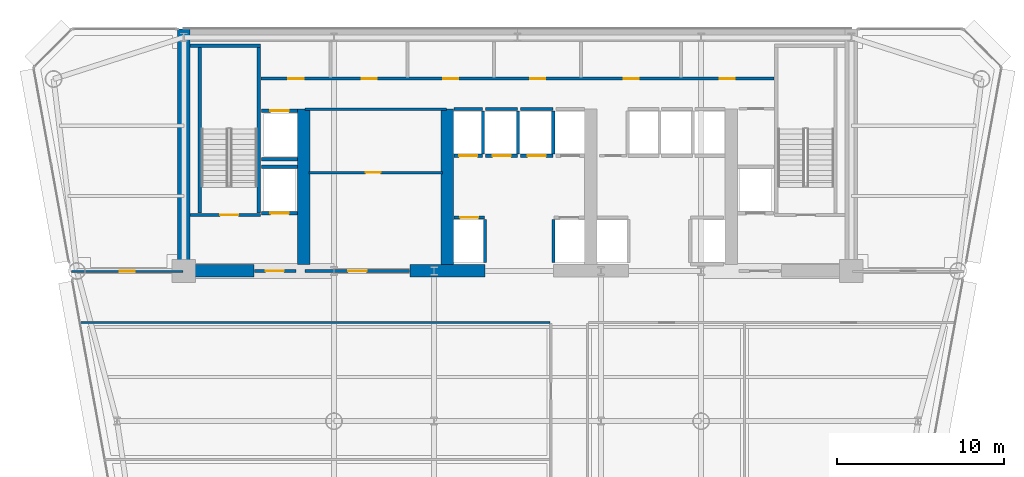
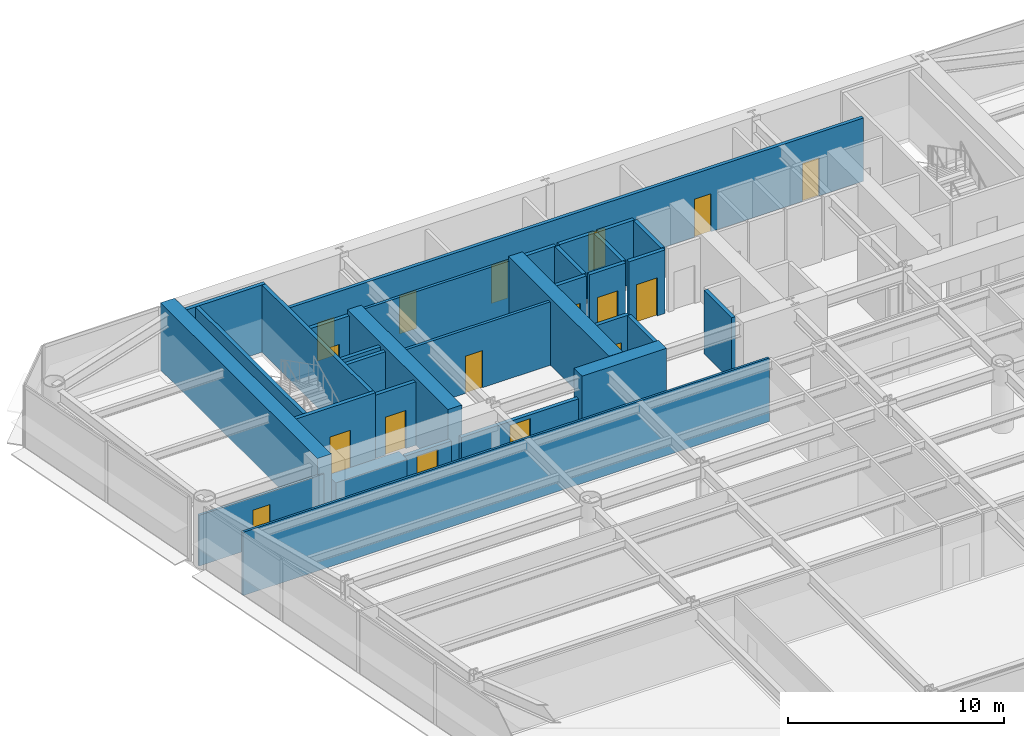
# One storey, part 8 of 14: 32 walls, 17 doors, 17 openings.
"""IFC4 building model written with IfcOpenShell, lengths in metres."""

from ifc_helpers import new_model, si_unit, direction, frame, frame_2d, origin, place, context, subcontext, project, spatial, rectangle, extrude, source, transform, mapped, material, layer, layer_set, type_object, element, fill, save


model = new_model("IFC4")

# Units and contexts
model_context = context("Model", 3, precision=1e-05, world=origin(), true_north=direction((0.0, 1.0)))
body_context = subcontext(model_context, "Body", "Model", "MODEL_VIEW")
ifc_project = project(units=[si_unit("LENGTHUNIT", "METRE"), si_unit("AREAUNIT", "SQUARE_METRE"), si_unit("VOLUMEUNIT", "CUBIC_METRE"), si_unit("PLANEANGLEUNIT", "RADIAN"), si_unit("MASSUNIT", "GRAM", prefix="KILO")], contexts=[model_context])

# Site, building, storey
site_placement = place(None, origin())
site = spatial("IfcSite", under=ifc_project, at=site_placement, CompositionType="ELEMENT")
building_placement = place(site_placement, origin())
building = spatial("IfcBuilding", under=site, at=building_placement, Name="Vaeldorn Concourse Tower", CompositionType="ELEMENT")
storey_placement = place(building_placement, frame((0.0, 0.0, 126.199951171875)))
storey = spatial("IfcBuildingStorey", under=building, at=storey_placement, Name="L32", CompositionType="ELEMENT", Elevation=126.199951171875)

# Walls
ifc_material_1 = material(Name="Concrete C60/75", Category="concrete")
ifc_layer_1 = layer(ifc_material_1, 0.75)
ifc_layer_set_1 = layer_set([ifc_layer_1], Name="Concrete C60/75")
wall_type_1 = type_object("IfcWallType", Name="WL-CORE-750", PredefinedType="SHEAR", material=ifc_layer_set_1)
wall_1_placement = place(storey_placement, frame((14.0, 36.5, 0.0), z_axis=(0.0, 0.0, 1.0), x_axis=(0.0, 1.0, 0.0)))
element("IfcWall", 1, at=wall_1_placement, inside=storey, type_object=wall_type_1, Name="Rear Core Shear Wall L32 W1", PredefinedType="SHEAR", context=body_context, shape_type="SweptSolid", body=[
    extrude(rectangle(XDim=14.5, YDim=0.75, at=frame_2d((7.25, 0.0))), origin(), (0.0, 0.0, 1.0), 3.800048828125),
])
wall_2_placement = place(storey_placement, frame((14.39501953125, 36.5, 0.0), z_axis=(0.0, 0.0, 1.0), x_axis=(1.0, 0.0, 0.0)))
element("IfcWall", 2, at=wall_2_placement, inside=storey, type_object=wall_type_1, Name="Rear Core Shear Wall L32 S1", PredefinedType="SHEAR", context=body_context, shape_type="SweptSolid", body=[
    extrude(rectangle(XDim=3.804931640625, YDim=0.75, at=frame_2d((1.90234375, 0.0))), origin(), (0.0, 0.0, 1.0), 2.380126953125),
])
wall_3_placement = place(storey_placement, frame((27.550048828125, 36.5, 0.0), z_axis=(0.0, 0.0, 1.0), x_axis=(1.0, 0.0, 0.0)))
element("IfcWall", 3, at=wall_3_placement, inside=storey, type_object=wall_type_1, Name="Rear Core Shear Wall L32 S2", PredefinedType="SHEAR", context=body_context, shape_type="SweptSolid", body=[
    extrude(rectangle(XDim=4.5, YDim=0.75, at=frame_2d((2.25, 0.0))), origin(), (0.0, 0.0, 1.0), 3.800048828125),
])
for number, where, z_axis, x_axis, name in (
    (4, (21.199951171875, 36.89501953125, 0.0), (0.0, 0.0, 1.0), (0.0, 1.0, 0.0), "Rear Core Shear Wall L32 M1"),
    (5, (29.800048828125, 36.89501953125, 0.0), (0.0, 0.0, 1.0), (0.0, 1.0, 0.0), "Rear Core Shear Wall L32 M2"),
):
    element("IfcWall", number, at=place(storey_placement, frame(where, z_axis=z_axis, x_axis=x_axis)), inside=storey, type_object=wall_type_1, Name=name, PredefinedType="SHEAR", context=body_context, shape_type="SweptSolid", body=[
        extrude(rectangle(XDim=9.304931640625, YDim=0.75, at=frame_2d((4.65234375, 0.0))), origin(), (0.0, 0.0, 1.0), 3.800048828125),
    ])
ifc_material_2 = material(Name="Gypsum Board Partition", Category="gypsum")
ifc_layer_2 = layer(ifc_material_2, 0.1201171875)
ifc_layer_set_2 = layer_set([ifc_layer_2], Name="Gypsum Board Partition")
wall_type_2 = type_object("IfcWallType", Name="WL-PART-120", PredefinedType="PARTITIONING", material=ifc_layer_set_2)
wall_4_placement = place(storey_placement, frame((7.8212890625, 33.39990234375, 0.0), z_axis=(0.0, 0.0, 1.0), x_axis=(1.0, 0.0, 0.0)))
element("IfcWall", 6, at=wall_4_placement, inside=storey, type_object=wall_type_2, Name="Interior Wall PW-L32-C2SW", PredefinedType="PARTITIONING", context=body_context, shape_type="SweptSolid", body=[
    extrude(rectangle(XDim=28.11865234375, YDim=0.1201171875, at=frame_2d((14.059326171875, 0.0))), origin(), (0.0, 0.0, 1.0), 3.580078125),
])

# Wall, opening, door
wall_5_placement = place(storey_placement, frame((7.266845703125, 36.47998046875, 0.0), z_axis=(0.0, 0.0, 1.0), x_axis=(1.0, 0.0, 0.0)))
wall_5 = element("IfcWall", 7, at=wall_5_placement, inside=storey, type_object=wall_type_2, Name="Interior Wall PW-L32-NWS", PredefinedType="PARTITIONING", context=body_context, shape_type="SweptSolid", body=[
    extrude(rectangle(XDim=6.673095703125, YDim=0.1201171875, at=frame_2d((3.33642578125, 0.0))), origin(), (0.0, 0.0, 1.0), 2.8701171875),
])
opening_1_placement = place(wall_5_placement, frame((2.886962890625, 0.0, 0.0)))
opening_1 = element("IfcOpeningElement", 8, at=opening_1_placement, cuts=wall_5, Name="Opening D-03", PredefinedType="OPENING", context=body_context, shape_type="SweptSolid", body=[
    extrude(rectangle(XDim=0.89990234375, YDim=2.14990234375, at=frame_2d((0.449951171875, 1.074951171875))), frame((0.0, 0.070068359375, 0.0), z_axis=(0.0, -1.0, 0.0), x_axis=(1.0, 0.0, 0.0)), (0.0, 0.0, 1.0), 0.14013671875),
])
ifc_material_3 = material(Name="Acoustic Bronze-Framed Glass Door", Category="glass")
door_type_1 = type_object("IfcDoorType", Name="DR-INT-900", OperationType="NOTDEFINED", PredefinedType="DOOR", material=ifc_material_3)
shared_shape_1 = source(origin(), body_context, "Body", "SweptSolid", [
    extrude(rectangle(XDim=0.89990234375, YDim=2.14990234375, at=frame_2d((0.449951171875, 1.074951171875))), frame((0.0, 0.02490234375, 0.0), z_axis=(0.0, -1.0, 0.0), x_axis=(1.0, 0.0, 0.0)), (0.0, 0.0, 1.0), 0.050048828125),
])
door_1_placement = place(opening_1_placement, origin())
door_1 = element("IfcDoor", 9, at=door_1_placement, inside=storey, type_object=door_type_1, Name="Interior Door DR-L32-NWC", OperationType="SINGLE_SWING_LEFT", OverallHeight=2.14990234375, OverallWidth=0.89990234375, PredefinedType="DOOR", context=body_context, shape_type="MappedRepresentation", body=[
    mapped(shared_shape_1, transform((0.0, 0.0, 0.0), scale=1.0)),
])
fill(opening_1, door_1)

# Wall
ifc_layer_3 = layer(ifc_material_2, 0.14990234375)
ifc_layer_set_3 = layer_set([ifc_layer_3], Name="Gypsum Board Partition")
wall_type_3 = type_object("IfcWallType", Name="WL-PART-150", PredefinedType="PARTITIONING", material=ifc_layer_set_3)
wall_6_placement = place(storey_placement, frame((21.25, 46.199951171875, 0.0), z_axis=(0.0, 0.0, 1.0), x_axis=(1.0, 0.0, 0.0)))
element("IfcWall", 10, at=wall_6_placement, inside=storey, type_object=wall_type_3, Name="Interior Wall CW-L32-R1N", PredefinedType="PARTITIONING", context=body_context, shape_type="SweptSolid", body=[
    extrude(rectangle(XDim=8.5, YDim=0.14990234375, at=frame_2d((4.25, 0.0))), origin(), (0.0, 0.0, 1.0), 3.580078125),
])

# Wall, opening, door
wall_7_placement = place(storey_placement, frame((21.5, 42.39990234375, 0.0), z_axis=(0.0, 0.0, 1.0), x_axis=(1.0, 0.0, 0.0)))
wall_7 = element("IfcWall", 11, at=wall_7_placement, inside=storey, type_object=wall_type_3, Name="Interior Wall CW-L32-R1M", PredefinedType="PARTITIONING", context=body_context, shape_type="SweptSolid", body=[
    extrude(rectangle(XDim=8.0, YDim=0.14990234375, at=frame_2d((4.0, 0.0))), origin(), (0.0, 0.0, 1.0), 3.580078125),
])
opening_2_placement = place(wall_7_placement, frame((3.39990234375, 0.0, 0.0)))
opening_2 = element("IfcOpeningElement", 12, at=opening_2_placement, cuts=wall_7, Name="Opening D-02", PredefinedType="OPENING", context=body_context, shape_type="SweptSolid", body=[
    extrude(rectangle(XDim=0.89990234375, YDim=2.10009765625, at=frame_2d((0.449951171875, 1.050048828125))), frame((0.0, 0.0849609375, 0.0), z_axis=(0.0, -1.0, 0.0), x_axis=(1.0, 0.0, 0.0)), (0.0, 0.0, 1.0), 0.169921875),
])
ifc_material_4 = material(Name="Fire-Rated Timber Leaf", Category="wood")
door_type_2 = type_object("IfcDoorType", Name="DR-FD30-900", OperationType="NOTDEFINED", PredefinedType="DOOR", material=ifc_material_4)
shared_shape_2 = source(origin(), body_context, "Body", "SweptSolid", [
    extrude(rectangle(XDim=0.89990234375, YDim=2.10009765625, at=frame_2d((0.449951171875, 1.050048828125))), frame((0.0, 0.02490234375, 0.0), z_axis=(0.0, -1.0, 0.0), x_axis=(1.0, 0.0, 0.0)), (0.0, 0.0, 1.0), 0.050048828125),
])
door_2_placement = place(opening_2_placement, origin())
door_2 = element("IfcDoor", 13, at=door_2_placement, inside=storey, type_object=door_type_2, Name="Interior Door DR-L32-R1M", OperationType="SINGLE_SWING_RIGHT", OverallHeight=2.10009765625, OverallWidth=0.89990234375, PredefinedType="DOOR", context=body_context, shape_type="MappedRepresentation", body=[
    mapped(shared_shape_2, transform((0.0, 0.0, 0.0), scale=1.0)),
])
fill(opening_2, door_2)

# Wall, openings, doors
ifc_layer_4 = layer(ifc_material_2, 0.179931640625)
ifc_layer_set_4 = layer_set([ifc_layer_4], Name="Gypsum Board Partition")
wall_type_4 = type_object("IfcWallType", Name="WL-PLUMB-180", PredefinedType="PLUMBINGWALL", material=ifc_layer_set_4)
wall_8_placement = place(storey_placement, frame((18.6201171875, 48.02001953125, 0.0), z_axis=(0.0, 0.0, 1.0), x_axis=(1.0, 0.0, 0.0)))
wall_8 = element("IfcWall", 14, at=wall_8_placement, inside=storey, type_object=wall_type_4, Name="Interior Wall CW-L32-NS3", PredefinedType="PLUMBINGWALL", context=body_context, shape_type="SweptSolid", body=[
    extrude(rectangle(XDim=30.759765625, YDim=0.179931640625, at=frame_2d((15.3798828125, 0.0))), origin(), (0.0, 0.0, 1.0), 3.580078125),
])
opening_3_placement = place(wall_8_placement, frame((1.655029296875, 0.0, 0.0)))
opening_3 = element("IfcOpeningElement", 15, at=opening_3_placement, cuts=wall_8, Name="Opening D-03", PredefinedType="OPENING", context=body_context, shape_type="SweptSolid", body=[
    extrude(rectangle(XDim=0.89990234375, YDim=2.14990234375, at=frame_2d((0.449951171875, 1.074951171875))), frame((0.0, 0.10009765625, 0.0), z_axis=(0.0, -1.0, 0.0), x_axis=(1.0, 0.0, 0.0)), (0.0, 0.0, 1.0), 0.199951171875),
])
opening_4_placement = place(wall_8_placement, frame((6.030029296875, 0.0, 0.0)))
opening_4 = element("IfcOpeningElement", 16, at=opening_4_placement, cuts=wall_8, Name="Opening D-03", PredefinedType="OPENING", context=body_context, shape_type="SweptSolid", body=[
    extrude(rectangle(XDim=0.89990234375, YDim=2.14990234375, at=frame_2d((0.449951171875, 1.074951171875))), frame((0.0, 0.10009765625, 0.0), z_axis=(0.0, -1.0, 0.0), x_axis=(1.0, 0.0, 0.0)), (0.0, 0.0, 1.0), 0.199951171875),
])
opening_5_placement = place(wall_8_placement, frame((10.929931640625, 0.0, 0.0)))
opening_5 = element("IfcOpeningElement", 17, at=opening_5_placement, cuts=wall_8, Name="Opening D-03", PredefinedType="OPENING", context=body_context, shape_type="SweptSolid", body=[
    extrude(rectangle(XDim=0.89990234375, YDim=2.14990234375, at=frame_2d((0.449951171875, 1.074951171875))), frame((0.0, 0.10009765625, 0.0), z_axis=(0.0, -1.0, 0.0), x_axis=(1.0, 0.0, 0.0)), (0.0, 0.0, 1.0), 0.199951171875),
])
opening_6_placement = place(wall_8_placement, frame((16.1298828125, 0.0, 0.0)))
opening_6 = element("IfcOpeningElement", 18, at=opening_6_placement, cuts=wall_8, Name="Opening D-03", PredefinedType="OPENING", context=body_context, shape_type="SweptSolid", body=[
    extrude(rectangle(XDim=0.89990234375, YDim=2.14990234375, at=frame_2d((0.449951171875, 1.074951171875))), frame((0.0, 0.10009765625, 0.0), z_axis=(0.0, -1.0, 0.0), x_axis=(1.0, 0.0, 0.0)), (0.0, 0.0, 1.0), 0.199951171875),
])
opening_7_placement = place(wall_8_placement, frame((21.72998046875, 0.0, 0.0)))
opening_7 = element("IfcOpeningElement", 19, at=opening_7_placement, cuts=wall_8, Name="Opening D-03", PredefinedType="OPENING", context=body_context, shape_type="SweptSolid", body=[
    extrude(rectangle(XDim=0.89990234375, YDim=2.14990234375, at=frame_2d((0.449951171875, 1.074951171875))), frame((0.0, 0.10009765625, 0.0), z_axis=(0.0, -1.0, 0.0), x_axis=(1.0, 0.0, 0.0)), (0.0, 0.0, 1.0), 0.199951171875),
])
opening_8_placement = place(wall_8_placement, frame((27.5048828125, 0.0, 0.0)))
opening_8 = element("IfcOpeningElement", 20, at=opening_8_placement, cuts=wall_8, Name="Opening D-03", PredefinedType="OPENING", context=body_context, shape_type="SweptSolid", body=[
    extrude(rectangle(XDim=0.89990234375, YDim=2.14990234375, at=frame_2d((0.449951171875, 1.074951171875))), frame((0.0, 0.10009765625, 0.0), z_axis=(0.0, -1.0, 0.0), x_axis=(1.0, 0.0, 0.0)), (0.0, 0.0, 1.0), 0.199951171875),
])
door_3_placement = place(opening_3_placement, origin())
door_3 = element("IfcDoor", 21, at=door_3_placement, inside=storey, type_object=door_type_1, Name="Interior Door DR-L32-CS1", OperationType="SINGLE_SWING_LEFT", OverallHeight=2.14990234375, OverallWidth=0.89990234375, PredefinedType="DOOR", context=body_context, shape_type="MappedRepresentation", body=[
    mapped(shared_shape_1, transform((0.0, 0.0, 0.0), scale=1.0)),
])
fill(opening_3, door_3)
door_4_placement = place(opening_4_placement, origin())
door_4 = element("IfcDoor", 22, at=door_4_placement, inside=storey, type_object=door_type_1, Name="Interior Door DR-L32-CS2", OperationType="SINGLE_SWING_RIGHT", OverallHeight=2.14990234375, OverallWidth=0.89990234375, PredefinedType="DOOR", context=body_context, shape_type="MappedRepresentation", body=[
    mapped(shared_shape_1, transform((0.0, 0.0, 0.0), scale=1.0)),
])
fill(opening_4, door_4)
door_5_placement = place(opening_5_placement, origin())
door_5 = element("IfcDoor", 23, at=door_5_placement, inside=storey, type_object=door_type_1, Name="Interior Door DR-L32-CS3", OperationType="SINGLE_SWING_LEFT", OverallHeight=2.14990234375, OverallWidth=0.89990234375, PredefinedType="DOOR", context=body_context, shape_type="MappedRepresentation", body=[
    mapped(shared_shape_1, transform((0.0, 0.0, 0.0), scale=1.0)),
])
fill(opening_5, door_5)
door_6_placement = place(opening_6_placement, origin())
door_6 = element("IfcDoor", 24, at=door_6_placement, inside=storey, type_object=door_type_1, Name="Interior Door DR-L32-CS4", OperationType="SINGLE_SWING_RIGHT", OverallHeight=2.14990234375, OverallWidth=0.89990234375, PredefinedType="DOOR", context=body_context, shape_type="MappedRepresentation", body=[
    mapped(shared_shape_1, transform((0.0, 0.0, 0.0), scale=1.0)),
])
fill(opening_6, door_6)
door_7_placement = place(opening_7_placement, origin())
door_7 = element("IfcDoor", 25, at=door_7_placement, inside=storey, type_object=door_type_1, Name="Interior Door DR-L32-CS5", OperationType="SINGLE_SWING_LEFT", OverallHeight=2.14990234375, OverallWidth=0.89990234375, PredefinedType="DOOR", context=body_context, shape_type="MappedRepresentation", body=[
    mapped(shared_shape_1, transform((0.0, 0.0, 0.0), scale=1.0)),
])
fill(opening_7, door_7)
door_8_placement = place(opening_8_placement, origin())
door_8 = element("IfcDoor", 26, at=door_8_placement, inside=storey, type_object=door_type_1, Name="Interior Door DR-L32-CS6", OperationType="SINGLE_SWING_RIGHT", OverallHeight=2.14990234375, OverallWidth=0.89990234375, PredefinedType="DOOR", context=body_context, shape_type="MappedRepresentation", body=[
    mapped(shared_shape_1, transform((0.0, 0.0, 0.0), scale=1.0)),
])
fill(opening_8, door_8)

# Wall, opening, door
ifc_material_5 = material(Name="Concrete C50/60", Category="concrete")
ifc_layer_5 = layer(ifc_material_5, 0.199951171875)
ifc_layer_set_5 = layer_set([ifc_layer_5], Name="Concrete C50/60")
wall_type_5 = type_object("IfcWallType", Name="WL-SHAFT-200", PredefinedType="SOLIDWALL", material=ifc_layer_set_5)
wall_9_placement = place(storey_placement, frame((14.375, 39.85009765625, 0.0), z_axis=(0.0, 0.0, 1.0), x_axis=(1.0, 0.0, 0.0)))
wall_9 = element("IfcWall", 27, at=wall_9_placement, inside=storey, type_object=wall_type_5, Name="Stair Shaft Wall CW-L32-ST-1-S", PredefinedType="SOLIDWALL", context=body_context, shape_type="SweptSolid", body=[
    extrude(rectangle(XDim=4.22509765625, YDim=0.199951171875, at=frame_2d((2.112548828125, 0.0))), origin(), (0.0, 0.0, 1.0), 3.800048828125),
])
opening_9_placement = place(wall_9_placement, frame((1.800048828125, 0.0, 0.0)))
opening_9 = element("IfcOpeningElement", 28, at=opening_9_placement, cuts=wall_9, Name="Opening D-01", PredefinedType="OPENING", context=body_context, shape_type="SweptSolid", body=[
    extrude(rectangle(XDim=1.10009765625, YDim=2.14990234375, at=frame_2d((0.550048828125, 1.074951171875))), frame((0.0, 0.10986328125, 0.0), z_axis=(0.0, -1.0, 0.0), x_axis=(1.0, 0.0, 0.0)), (0.0, 0.0, 1.0), 0.219970703125),
])
ifc_material_6 = material(Name="Fire-Rated Timber and Steel Leaf", Category="steel")
door_type_3 = type_object("IfcDoorType", Name="DR-FD60-1100", OperationType="NOTDEFINED", PredefinedType="DOOR", material=ifc_material_6)
shared_shape_3 = source(origin(), body_context, "Body", "SweptSolid", [
    extrude(rectangle(XDim=1.10009765625, YDim=2.14990234375, at=frame_2d((0.550048828125, 1.074951171875))), frame((0.0, 0.02490234375, 0.0), z_axis=(0.0, -1.0, 0.0), x_axis=(1.0, 0.0, 0.0)), (0.0, 0.0, 1.0), 0.050048828125),
])
door_9_placement = place(opening_9_placement, origin())
door_9 = element("IfcDoor", 29, at=door_9_placement, inside=storey, type_object=door_type_3, Name="Interior Door DR-L32-ST-1", OperationType="SINGLE_SWING_LEFT", OverallHeight=2.14990234375, OverallWidth=1.10009765625, PredefinedType="DOOR", context=body_context, shape_type="MappedRepresentation", body=[
    mapped(shared_shape_3, transform((0.0, 0.0, 0.0), scale=1.0)),
])
fill(opening_9, door_9)

# Walls
wall_10_placement = place(storey_placement, frame((14.375, 50.0, 0.0), z_axis=(0.0, 0.0, 1.0), x_axis=(1.0, 0.0, 0.0)))
element("IfcWall", 30, at=wall_10_placement, inside=storey, type_object=wall_type_5, Name="Stair Shaft Wall CW-L32-ST-1-N", PredefinedType="SOLIDWALL", context=body_context, shape_type="SweptSolid", body=[
    extrude(rectangle(XDim=4.22509765625, YDim=0.199951171875, at=frame_2d((2.112548828125, 0.0))), origin(), (0.0, 0.0, 1.0), 3.800048828125),
])
for number, where, z_axis, x_axis, name in (
    (31, (14.949951171875, 39.9599609375, 0.0), (0.0, 0.0, 1.0), (0.0, 1.0, 0.0), "Stair Shaft Wall CW-L32-ST-1-W"),
    (32, (18.5, 39.9599609375, 0.0), (0.0, 0.0, 1.0), (0.0, 1.0, 0.0), "Stair Shaft Wall CW-L32-ST-1-E"),
):
    element("IfcWall", number, at=place(storey_placement, frame(where, z_axis=z_axis, x_axis=x_axis)), inside=storey, type_object=wall_type_5, Name=name, PredefinedType="SOLIDWALL", context=body_context, shape_type="SweptSolid", body=[
        extrude(rectangle(XDim=9.929931640625, YDim=0.199951171875, at=frame_2d((4.96484375, 0.0))), origin(), (0.0, 0.0, 1.0), 3.800048828125),
    ])

# Wall, opening, door
wall_11_placement = place(storey_placement, frame((18.25, 36.5, 0.0), z_axis=(0.0, 0.0, 1.0), x_axis=(1.0, 0.0, 0.0)))
wall_11 = element("IfcWall", 33, at=wall_11_placement, inside=storey, type_object=wall_type_5, Name="Interior Wall CW-L32-FF1S", PredefinedType="SOLIDWALL", context=body_context, shape_type="SweptSolid", body=[
    extrude(rectangle(XDim=2.469970703125, YDim=0.199951171875, at=frame_2d((1.23486328125, 0.0))), origin(), (0.0, 0.0, 1.0), 2.3701171875),
])
opening_10_placement = place(wall_11_placement, frame((0.64990234375, 0.0, 0.0)))
opening_10 = element("IfcOpeningElement", 34, at=opening_10_placement, cuts=wall_11, Name="Opening D-01", PredefinedType="OPENING", context=body_context, shape_type="SweptSolid", body=[
    extrude(rectangle(XDim=1.10009765625, YDim=2.14990234375, at=frame_2d((0.550048828125, 1.074951171875))), frame((0.0, 0.10986328125, 0.0), z_axis=(0.0, -1.0, 0.0), x_axis=(1.0, 0.0, 0.0)), (0.0, 0.0, 1.0), 0.219970703125),
])
door_10_placement = place(opening_10_placement, origin())
door_10 = element("IfcDoor", 35, at=door_10_placement, inside=storey, type_object=door_type_3, Name="Interior Door DR-L32-FF1E", OperationType="SINGLE_SWING_RIGHT", OverallHeight=2.14990234375, OverallWidth=1.10009765625, PredefinedType="DOOR", context=body_context, shape_type="MappedRepresentation", body=[
    mapped(shared_shape_3, transform((0.0, 0.0, 0.0), scale=1.0)),
])
fill(opening_10, door_10)

wall_12_placement = place(storey_placement, frame((30.18505859375, 39.699951171875, 0.0), z_axis=(0.0, 0.0, 1.0), x_axis=(1.0, 0.0, 0.0)))
wall_12 = element("IfcWall", 36, at=wall_12_placement, inside=storey, type_object=wall_type_5, Name="Interior Wall CW-L32-LF-LF-07", PredefinedType="SOLIDWALL", context=body_context, shape_type="SweptSolid", body=[
    extrude(rectangle(XDim=1.844970703125, YDim=0.199951171875, at=frame_2d((0.92236328125, 0.0))), origin(), (0.0, 0.0, 1.0), 3.580078125),
])
opening_11_placement = place(wall_12_placement, frame((0.373046875, 0.0, 0.0)))
opening_11 = element("IfcOpeningElement", 37, at=opening_11_placement, cuts=wall_12, Name="Opening LD-1", PredefinedType="OPENING", context=body_context, shape_type="SweptSolid", body=[
    extrude(rectangle(XDim=1.10009765625, YDim=2.14990234375, at=frame_2d((0.550048828125, 1.074951171875))), frame((0.0, 0.10986328125, 0.0), z_axis=(0.0, -1.0, 0.0), x_axis=(1.0, 0.0, 0.0)), (0.0, 0.0, 1.0), 0.219970703125),
])
ifc_material_7 = material(Name="Anodised Bronze Aluminium", Category="aluminium")
door_type_4 = type_object("IfcDoorType", Name="DR-LIFT-SLIDE-1100", OperationType="DOUBLE_DOOR_SLIDING", PredefinedType="DOOR", material=ifc_material_7)
door_11_placement = place(opening_11_placement, origin())
door_11 = element("IfcDoor", 38, at=door_11_placement, inside=storey, type_object=door_type_4, Name="Lift Landing Door LD-L32-LF-07", OperationType="DOUBLE_DOOR_SLIDING", OverallHeight=2.14990234375, OverallWidth=1.10009765625, PredefinedType="DOOR", context=body_context, shape_type="MappedRepresentation", body=[
    mapped(shared_shape_3, transform((0.0, 0.0, 0.0), scale=1.0)),
])
fill(opening_11, door_11)

# Walls
for number, where, z_axis, x_axis, name in (
    (39, (32.050048828125, 37.02001953125, 0.0), (0.0, 0.0, 1.0), (0.0, 1.0, 0.0), "Interior Wall CW-L32-LFE-LF-07"),
    (40, (36.14990234375, 37.02001953125, 0.0), (0.0, 0.0, 1.0), (0.0, 1.0, 0.0), "Interior Wall CW-L32-LFW-LF-08"),
):
    element("IfcWall", number, at=place(storey_placement, frame(where, z_axis=z_axis, x_axis=x_axis)), inside=storey, type_object=wall_type_5, Name=name, PredefinedType="SOLIDWALL", context=body_context, shape_type="SweptSolid", body=[
        extrude(rectangle(XDim=2.56005859375, YDim=0.199951171875, at=frame_2d((1.280029296875, 0.0))), origin(), (0.0, 0.0, 1.0), 3.580078125),
    ])

# Wall, opening, door
wall_13_placement = place(storey_placement, frame((30.18505859375, 43.39990234375, 0.0), z_axis=(0.0, 0.0, 1.0), x_axis=(1.0, 0.0, 0.0)))
wall_13 = element("IfcWall", 41, at=wall_13_placement, inside=storey, type_object=wall_type_5, Name="Interior Wall CW-L32-LF-LF-09", PredefinedType="SOLIDWALL", context=body_context, shape_type="SweptSolid", body=[
    extrude(rectangle(XDim=1.724853515625, YDim=0.199951171875, at=frame_2d((0.8623046875, 0.0))), origin(), (0.0, 0.0, 1.0), 3.580078125),
])
opening_12_placement = place(wall_13_placement, frame((0.31298828125, 0.0, 0.0)))
opening_12 = element("IfcOpeningElement", 42, at=opening_12_placement, cuts=wall_13, Name="Opening LD-1", PredefinedType="OPENING", context=body_context, shape_type="SweptSolid", body=[
    extrude(rectangle(XDim=1.10009765625, YDim=2.14990234375, at=frame_2d((0.550048828125, 1.074951171875))), frame((0.0, 0.10986328125, 0.0), z_axis=(0.0, -1.0, 0.0), x_axis=(1.0, 0.0, 0.0)), (0.0, 0.0, 1.0), 0.219970703125),
])
door_12_placement = place(opening_12_placement, origin())
door_12 = element("IfcDoor", 43, at=door_12_placement, inside=storey, type_object=door_type_4, Name="Lift Landing Door LD-L32-LF-09", OperationType="DOUBLE_DOOR_SLIDING", OverallHeight=2.14990234375, OverallWidth=1.10009765625, PredefinedType="DOOR", context=body_context, shape_type="MappedRepresentation", body=[
    mapped(shared_shape_3, transform((0.0, 0.0, 0.0), scale=1.0)),
])
fill(opening_12, door_12)

# Walls
wall_14_placement = place(storey_placement, frame((30.18505859375, 46.199951171875, 0.0), z_axis=(0.0, 0.0, 1.0), x_axis=(1.0, 0.0, 0.0)))
element("IfcWall", 44, at=wall_14_placement, inside=storey, type_object=wall_type_5, Name="Interior Wall CW-L32-LFB-LF-09", PredefinedType="SOLIDWALL", context=body_context, shape_type="SweptSolid", body=[
    extrude(rectangle(XDim=1.724853515625, YDim=0.199951171875, at=frame_2d((0.8623046875, 0.0))), origin(), (0.0, 0.0, 1.0), 3.580078125),
])
wall_15_placement = place(storey_placement, frame((31.929931640625, 43.52001953125, 0.0), z_axis=(0.0, 0.0, 1.0), x_axis=(0.0, 1.0, 0.0)))
element("IfcWall", 45, at=wall_15_placement, inside=storey, type_object=wall_type_5, Name="Interior Wall CW-L32-LFE-LF-09", PredefinedType="SOLIDWALL", context=body_context, shape_type="SweptSolid", body=[
    extrude(rectangle(XDim=2.56005859375, YDim=0.199951171875, at=frame_2d((1.280029296875, 0.0))), origin(), (0.0, 0.0, 1.0), 3.580078125),
])

# Wall, opening, door
wall_16_placement = place(storey_placement, frame((32.090087890625, 43.39990234375, 0.0), z_axis=(0.0, 0.0, 1.0), x_axis=(1.0, 0.0, 0.0)))
wall_16 = element("IfcWall", 46, at=wall_16_placement, inside=storey, type_object=wall_type_5, Name="Interior Wall CW-L32-LF-LF-10", PredefinedType="SOLIDWALL", context=body_context, shape_type="SweptSolid", body=[
    extrude(rectangle(XDim=1.919921875, YDim=0.199951171875, at=frame_2d((0.9599609375, 0.0))), origin(), (0.0, 0.0, 1.0), 3.580078125),
])
opening_13_placement = place(wall_16_placement, frame((0.409912109375, 0.0, 0.0)))
opening_13 = element("IfcOpeningElement", 47, at=opening_13_placement, cuts=wall_16, Name="Opening LD-1", PredefinedType="OPENING", context=body_context, shape_type="SweptSolid", body=[
    extrude(rectangle(XDim=1.10009765625, YDim=2.14990234375, at=frame_2d((0.550048828125, 1.074951171875))), frame((0.0, 0.10986328125, 0.0), z_axis=(0.0, -1.0, 0.0), x_axis=(1.0, 0.0, 0.0)), (0.0, 0.0, 1.0), 0.219970703125),
])
door_13_placement = place(opening_13_placement, origin())
door_13 = element("IfcDoor", 48, at=door_13_placement, inside=storey, type_object=door_type_4, Name="Lift Landing Door LD-L32-LF-10", OperationType="DOUBLE_DOOR_SLIDING", OverallHeight=2.14990234375, OverallWidth=1.10009765625, PredefinedType="DOOR", context=body_context, shape_type="MappedRepresentation", body=[
    mapped(shared_shape_3, transform((0.0, 0.0, 0.0), scale=1.0)),
])
fill(opening_13, door_13)

# Walls
wall_17_placement = place(storey_placement, frame((32.090087890625, 46.199951171875, 0.0), z_axis=(0.0, 0.0, 1.0), x_axis=(1.0, 0.0, 0.0)))
element("IfcWall", 49, at=wall_17_placement, inside=storey, type_object=wall_type_5, Name="Interior Wall CW-L32-LFB-LF-10", PredefinedType="SOLIDWALL", context=body_context, shape_type="SweptSolid", body=[
    extrude(rectangle(XDim=1.919921875, YDim=0.199951171875, at=frame_2d((0.9599609375, 0.0))), origin(), (0.0, 0.0, 1.0), 3.580078125),
])
wall_18_placement = place(storey_placement, frame((34.030029296875, 43.52001953125, 0.0), z_axis=(0.0, 0.0, 1.0), x_axis=(0.0, 1.0, 0.0)))
element("IfcWall", 50, at=wall_18_placement, inside=storey, type_object=wall_type_5, Name="Interior Wall CW-L32-LFE-LF-10", PredefinedType="SOLIDWALL", context=body_context, shape_type="SweptSolid", body=[
    extrude(rectangle(XDim=2.56005859375, YDim=0.199951171875, at=frame_2d((1.280029296875, 0.0))), origin(), (0.0, 0.0, 1.0), 3.580078125),
])

# Wall, opening, door
wall_19_placement = place(storey_placement, frame((34.18994140625, 43.39990234375, 0.0), z_axis=(0.0, 0.0, 1.0), x_axis=(1.0, 0.0, 0.0)))
wall_19 = element("IfcWall", 51, at=wall_19_placement, inside=storey, type_object=wall_type_5, Name="Interior Wall CW-L32-LF-LF-11", PredefinedType="SOLIDWALL", context=body_context, shape_type="SweptSolid", body=[
    extrude(rectangle(XDim=1.920166015625, YDim=0.199951171875, at=frame_2d((0.9599609375, 0.0))), origin(), (0.0, 0.0, 1.0), 3.580078125),
])
opening_14_placement = place(wall_19_placement, frame((0.409912109375, 0.0, 0.0)))
opening_14 = element("IfcOpeningElement", 52, at=opening_14_placement, cuts=wall_19, Name="Opening LD-1", PredefinedType="OPENING", context=body_context, shape_type="SweptSolid", body=[
    extrude(rectangle(XDim=1.10009765625, YDim=2.14990234375, at=frame_2d((0.550048828125, 1.074951171875))), frame((0.0, 0.10986328125, 0.0), z_axis=(0.0, -1.0, 0.0), x_axis=(1.0, 0.0, 0.0)), (0.0, 0.0, 1.0), 0.219970703125),
])
door_14_placement = place(opening_14_placement, origin())
door_14 = element("IfcDoor", 53, at=door_14_placement, inside=storey, type_object=door_type_4, Name="Lift Landing Door LD-L32-LF-11", OperationType="DOUBLE_DOOR_SLIDING", OverallHeight=2.14990234375, OverallWidth=1.10009765625, PredefinedType="DOOR", context=body_context, shape_type="MappedRepresentation", body=[
    mapped(shared_shape_3, transform((0.0, 0.0, 0.0), scale=1.0)),
])
fill(opening_14, door_14)

# Walls
wall_20_placement = place(storey_placement, frame((34.18994140625, 46.199951171875, 0.0), z_axis=(0.0, 0.0, 1.0), x_axis=(1.0, 0.0, 0.0)))
element("IfcWall", 54, at=wall_20_placement, inside=storey, type_object=wall_type_5, Name="Interior Wall CW-L32-LFB-LF-11", PredefinedType="SOLIDWALL", context=body_context, shape_type="SweptSolid", body=[
    extrude(rectangle(XDim=1.920166015625, YDim=0.199951171875, at=frame_2d((0.9599609375, 0.0))), origin(), (0.0, 0.0, 1.0), 3.580078125),
])
wall_21_placement = place(storey_placement, frame((36.1298828125, 43.52001953125, 0.0), z_axis=(0.0, 0.0, 1.0), x_axis=(0.0, 1.0, 0.0)))
element("IfcWall", 55, at=wall_21_placement, inside=storey, type_object=wall_type_5, Name="Interior Wall CW-L32-LFE-LF-11", PredefinedType="SOLIDWALL", context=body_context, shape_type="SweptSolid", body=[
    extrude(rectangle(XDim=2.56005859375, YDim=0.199951171875, at=frame_2d((1.280029296875, 0.0))), origin(), (0.0, 0.0, 1.0), 3.580078125),
])

# Wall, opening, door
wall_22_placement = place(storey_placement, frame((18.669921875, 46.10009765625, 0.0), z_axis=(0.0, 0.0, 1.0), x_axis=(1.0, 0.0, 0.0)))
wall_22 = element("IfcWall", 56, at=wall_22_placement, inside=storey, type_object=wall_type_5, Name="Interior Wall CW-L32-LF-LF-SV1", PredefinedType="SOLIDWALL", context=body_context, shape_type="SweptSolid", body=[
    extrude(rectangle(XDim=2.14501953125, YDim=0.199951171875, at=frame_2d((1.072509765625, 0.0))), origin(), (0.0, 0.0, 1.0), 3.580078125),
])
opening_15_placement = place(wall_22_placement, frame((0.52197265625, 0.0, 0.0)))
opening_15 = element("IfcOpeningElement", 57, at=opening_15_placement, cuts=wall_22, Name="Opening LD-1", PredefinedType="OPENING", context=body_context, shape_type="SweptSolid", body=[
    extrude(rectangle(XDim=1.10009765625, YDim=2.14990234375, at=frame_2d((0.550048828125, 1.074951171875))), frame((0.0, 0.10986328125, 0.0), z_axis=(0.0, -1.0, 0.0), x_axis=(1.0, 0.0, 0.0)), (0.0, 0.0, 1.0), 0.219970703125),
])
door_15_placement = place(opening_15_placement, origin())
door_15 = element("IfcDoor", 58, at=door_15_placement, inside=storey, type_object=door_type_4, Name="Lift Landing Door LD-L32-LF-SV1", OperationType="DOUBLE_DOOR_SLIDING", OverallHeight=2.14990234375, OverallWidth=1.10009765625, PredefinedType="DOOR", context=body_context, shape_type="MappedRepresentation", body=[
    mapped(shared_shape_3, transform((0.0, 0.0, 0.0), scale=1.0)),
])
fill(opening_15, door_15)

# Wall
wall_23_placement = place(storey_placement, frame((18.669921875, 43.199951171875, 0.0), z_axis=(0.0, 0.0, 1.0), x_axis=(1.0, 0.0, 0.0)))
element("IfcWall", 59, at=wall_23_placement, inside=storey, type_object=wall_type_5, Name="Interior Wall CW-L32-LFB-LF-SV1", PredefinedType="SOLIDWALL", context=body_context, shape_type="SweptSolid", body=[
    extrude(rectangle(XDim=2.14501953125, YDim=0.199951171875, at=frame_2d((1.072509765625, 0.0))), origin(), (0.0, 0.0, 1.0), 3.580078125),
])

# Wall, opening, door
wall_24_placement = place(storey_placement, frame((18.669921875, 39.949951171875, 0.0), z_axis=(0.0, 0.0, 1.0), x_axis=(1.0, 0.0, 0.0)))
wall_24 = element("IfcWall", 60, at=wall_24_placement, inside=storey, type_object=wall_type_5, Name="Interior Wall CW-L32-LF-LF-FF1", PredefinedType="SOLIDWALL", context=body_context, shape_type="SweptSolid", body=[
    extrude(rectangle(XDim=2.14501953125, YDim=0.199951171875, at=frame_2d((1.072509765625, 0.0))), origin(), (0.0, 0.0, 1.0), 3.580078125),
])
opening_16_placement = place(wall_24_placement, frame((0.52197265625, 0.0, 0.0)))
opening_16 = element("IfcOpeningElement", 61, at=opening_16_placement, cuts=wall_24, Name="Opening LD-1", PredefinedType="OPENING", context=body_context, shape_type="SweptSolid", body=[
    extrude(rectangle(XDim=1.10009765625, YDim=2.14990234375, at=frame_2d((0.550048828125, 1.074951171875))), frame((0.0, 0.10986328125, 0.0), z_axis=(0.0, -1.0, 0.0), x_axis=(1.0, 0.0, 0.0)), (0.0, 0.0, 1.0), 0.219970703125),
])
door_16_placement = place(opening_16_placement, origin())
door_16 = element("IfcDoor", 62, at=door_16_placement, inside=storey, type_object=door_type_4, Name="Lift Landing Door LD-L32-LF-FF1", OperationType="DOUBLE_DOOR_SLIDING", OverallHeight=2.14990234375, OverallWidth=1.10009765625, PredefinedType="DOOR", context=body_context, shape_type="MappedRepresentation", body=[
    mapped(shared_shape_3, transform((0.0, 0.0, 0.0), scale=1.0)),
])
fill(opening_16, door_16)

# Wall
wall_25_placement = place(storey_placement, frame((18.669921875, 42.75, 0.0), z_axis=(0.0, 0.0, 1.0), x_axis=(1.0, 0.0, 0.0)))
element("IfcWall", 63, at=wall_25_placement, inside=storey, type_object=wall_type_5, Name="Interior Wall CW-L32-LFB-LF-FF1", PredefinedType="SOLIDWALL", context=body_context, shape_type="SweptSolid", body=[
    extrude(rectangle(XDim=2.14501953125, YDim=0.199951171875, at=frame_2d((1.072509765625, 0.0))), origin(), (0.0, 0.0, 1.0), 3.580078125),
])

# Wall, opening, door
wall_26_placement = place(storey_placement, frame((21.25, 36.5, 0.0), z_axis=(0.0, 0.0, 1.0), x_axis=(1.0, 0.0, 0.0)))
wall_26 = element("IfcWall", 64, at=wall_26_placement, inside=storey, type_object=wall_type_5, Name="Interior Wall CW-L32-R1S", PredefinedType="SOLIDWALL", context=body_context, shape_type="SweptSolid", body=[
    extrude(rectangle(XDim=6.27001953125, YDim=0.199951171875, at=frame_2d((3.135009765625, 0.0))), origin(), (0.0, 0.0, 1.0), 2.3701171875),
])
opening_17_placement = place(wall_26_placement, frame((2.60009765625, 0.0, 0.0)))
opening_17 = element("IfcOpeningElement", 65, at=opening_17_placement, cuts=wall_26, Name="Opening D-01", PredefinedType="OPENING", context=body_context, shape_type="SweptSolid", body=[
    extrude(rectangle(XDim=1.10009765625, YDim=2.14990234375, at=frame_2d((0.550048828125, 1.074951171875))), frame((0.0, 0.10986328125, 0.0), z_axis=(0.0, -1.0, 0.0), x_axis=(1.0, 0.0, 0.0)), (0.0, 0.0, 1.0), 0.219970703125),
])
door_17_placement = place(opening_17_placement, origin())
door_17 = element("IfcDoor", 66, at=door_17_placement, inside=storey, type_object=door_type_3, Name="Interior Door DR-L32-R1S", OperationType="SINGLE_SWING_LEFT", OverallHeight=2.14990234375, OverallWidth=1.10009765625, PredefinedType="DOOR", context=body_context, shape_type="MappedRepresentation", body=[
    mapped(shared_shape_3, transform((0.0, 0.0, 0.0), scale=1.0)),
])
fill(opening_17, door_17)

save(model, "model.ifc")
